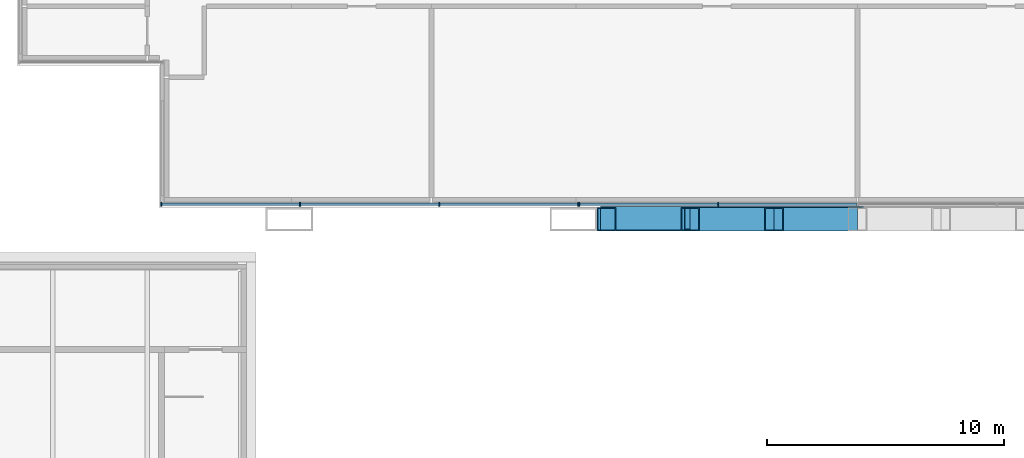
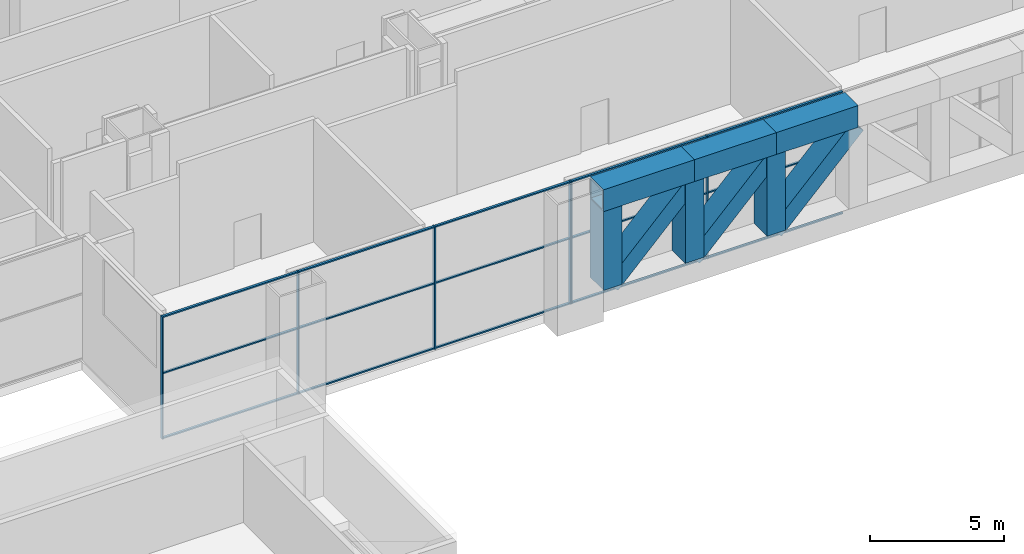
# One storey, part 2 of 27: 27 members, 3 beams, 2 elements without a shape of their own.
"""IFC4 building model written with IfcOpenShell, lengths in metres."""

from ifc_helpers import new_model, si_unit, direction, frame, origin, origin_2d, place, context, subcontext, project, spatial, rectangle, hollow_rectangle, extrude, material, material_profile, profile_set, type_object, element, aggregate, save


model = new_model("IFC4")

# Units and contexts
model_context = context("Model", 3, precision=1e-05, world=origin(), true_north=direction((0.0, 1.0)))
body_context = subcontext(model_context, "Body", "Model", "MODEL_VIEW")
ifc_project = project(units=[si_unit("LENGTHUNIT", "METRE"), si_unit("AREAUNIT", "SQUARE_METRE"), si_unit("VOLUMEUNIT", "CUBIC_METRE"), si_unit("PLANEANGLEUNIT", "RADIAN"), si_unit("MASSUNIT", "GRAM", prefix="KILO")], contexts=[model_context])

# Site, building, storey
site_placement = place(None, origin())
site = spatial("IfcSite", under=ifc_project, at=site_placement, CompositionType="ELEMENT")
building_placement = place(site_placement, origin())
building = spatial("IfcBuilding", under=site, at=building_placement, Name="Kitamizu Gate Tower and Museum", CompositionType="ELEMENT")
storey_placement = place(building_placement, frame((0.0, 0.0, 24.0)))
storey = spatial("IfcBuildingStorey", under=building, at=storey_placement, Name="L04", CompositionType="ELEMENT", Elevation=24.0)

# Curtain wall, members
ifc_material_1 = material(Name="Bronze anodised aluminium frame, tinted triple glazing", Category="aluminium")
curtain_wall_type_1 = type_object("IfcCurtainWallType", Name="CURTAIN WALL TYPE F TRANSFER STOREY", PredefinedType="NOTDEFINED", material=ifc_material_1)
curtain_wall_1_placement = place(storey_placement, origin())
curtain_wall_1 = element("IfcCurtainWall", 1, at=curtain_wall_1_placement, inside=storey, type_object=curtain_wall_type_1, Name="Curtain wall CW-F south L04 part 1", PredefinedType="NOTDEFINED")
ifc_material_2 = material(Name="Bronze anodised aluminium", Category="aluminium")
ifc_material_profile_1 = material_profile(ifc_material_2, rectangle(XDim=0.050048828125, YDim=0.14990234375, at=origin_2d()), Name="AL 50X150")
ifc_profile_set_1 = profile_set([ifc_material_profile_1], Name="Bronze anodised aluminium")
member_type_1 = type_object("IfcMemberType", Name="MULLION 50 X 150 TYPE F", PredefinedType="MULLION", material=ifc_profile_set_1)
member_1_placement = place(storey_placement, frame((6.5849609375, 0.635009765625, 0.0), z_axis=(0.0, 0.0, 1.0), x_axis=(1.0, 0.0, 0.0)))
member_1 = element("IfcMember", 2, at=member_1_placement, type_object=member_type_1, Name="CW-F mullion 1", PredefinedType="MULLION", context=body_context, shape_type="SweptSolid", body=[
    extrude(rectangle(XDim=0.050048828125, YDim=0.14990234375, at=origin_2d()), origin(), (0.0, 0.0, 1.0), 5.60009765625),
])
member_2_placement = place(storey_placement, frame((12.447998046875, 0.635009765625, 0.0), z_axis=(0.0, 0.0, 1.0), x_axis=(1.0, 0.0, 0.0)))
member_2 = element("IfcMember", 3, at=member_2_placement, type_object=member_type_1, Name="CW-F mullion 2", PredefinedType="MULLION", context=body_context, shape_type="SweptSolid", body=[
    extrude(rectangle(XDim=0.050048828125, YDim=0.14990234375, at=origin_2d()), origin(), (0.0, 0.0, 1.0), 5.60009765625),
])
member_3_placement = place(storey_placement, frame((18.3359375, 0.635009765625, 0.0), z_axis=(0.0, 0.0, 1.0), x_axis=(1.0, 0.0, 0.0)))
member_3 = element("IfcMember", 4, at=member_3_placement, type_object=member_type_1, Name="CW-F mullion 3", PredefinedType="MULLION", context=body_context, shape_type="SweptSolid", body=[
    extrude(rectangle(XDim=0.050048828125, YDim=0.14990234375, at=origin_2d()), origin(), (0.0, 0.0, 1.0), 5.60009765625),
])
member_4_placement = place(storey_placement, frame((24.198974609375, 0.635009765625, 0.0), z_axis=(0.0, 0.0, 1.0), x_axis=(1.0, 0.0, 0.0)))
member_4 = element("IfcMember", 5, at=member_4_placement, type_object=member_type_1, Name="CW-F mullion 4", PredefinedType="MULLION", context=body_context, shape_type="SweptSolid", body=[
    extrude(rectangle(XDim=0.050048828125, YDim=0.14990234375, at=origin_2d()), origin(), (0.0, 0.0, 1.0), 5.60009765625),
])

ifc_material_3 = material(Name="Bronze anodised aluminium frame, insulated panels", Category="aluminium")
curtain_wall_type_2 = type_object("IfcCurtainWallType", Name="CURTAIN WALL TYPE F TRANSFER STOREY INSULATED", PredefinedType="NOTDEFINED", material=ifc_material_3)
curtain_wall_2_placement = place(storey_placement, origin())
curtain_wall_2 = element("IfcCurtainWall", 6, at=curtain_wall_2_placement, inside=storey, type_object=curtain_wall_type_2, Name="Curtain wall CW-FI south L04 part 2", PredefinedType="NOTDEFINED")
member_5_placement = place(storey_placement, frame((24.2490234375, 0.635009765625, 0.0), z_axis=(0.0, 0.0, 1.0), x_axis=(1.0, 0.0, 0.0)))
member_5 = element("IfcMember", 7, at=member_5_placement, type_object=member_type_1, Name="CW-FI mullion 1", PredefinedType="MULLION", context=body_context, shape_type="SweptSolid", body=[
    extrude(rectangle(XDim=0.050048828125, YDim=0.14990234375, at=origin_2d()), origin(), (0.0, 0.0, 1.0), 5.60009765625),
])
member_6_placement = place(storey_placement, frame((30.112060546875, 0.635009765625, 0.0), z_axis=(0.0, 0.0, 1.0), x_axis=(1.0, 0.0, 0.0)))
member_6 = element("IfcMember", 8, at=member_6_placement, type_object=member_type_1, Name="CW-FI mullion 2", PredefinedType="MULLION", context=body_context, shape_type="SweptSolid", body=[
    extrude(rectangle(XDim=0.050048828125, YDim=0.14990234375, at=origin_2d()), origin(), (0.0, 0.0, 1.0), 5.60009765625),
])

# Member
ifc_material_4 = material(Name="Bronze anodised aluminium", Category="aluminium")
ifc_material_profile_2 = material_profile(ifc_material_4, rectangle(XDim=0.10009765625, YDim=0.06005859375, at=origin_2d()), Name="AL 60X100")
ifc_profile_set_2 = profile_set([ifc_material_profile_2], Name="Bronze anodised aluminium")
member_type_2 = type_object("IfcMemberType", Name="TRANSOM 60 X 100 TYPE F", PredefinedType="USERDEFINED", material=ifc_profile_set_2)
member_7_placement = place(storey_placement, frame((6.610107421875, 0.635009765625, 0.030029296875), z_axis=(1.0, 0.0, 0.0), x_axis=(0.0, 1.0, 0.0)))
member_7 = element("IfcMember", 9, at=member_7_placement, type_object=member_type_2, Name="CW-F transom 1.1", ObjectType="TRANSOM", PredefinedType="USERDEFINED", context=body_context, shape_type="SweptSolid", body=[
    extrude(rectangle(XDim=0.10009765625, YDim=0.06005859375, at=origin_2d()), origin(), (0.0, 0.0, 1.0), 5.81298828125),
])

member_8_placement = place(storey_placement, frame((6.610107421875, 0.635009765625, 3.0), z_axis=(1.0, 0.0, 0.0), x_axis=(0.0, 1.0, 0.0)))
member_8 = element("IfcMember", 10, at=member_8_placement, type_object=member_type_2, Name="CW-F transom 1.2", ObjectType="TRANSOM", PredefinedType="USERDEFINED", context=body_context, shape_type="SweptSolid", body=[
    extrude(rectangle(XDim=0.10009765625, YDim=0.06005859375, at=origin_2d()), origin(), (0.0, 0.0, 1.0), 5.81298828125),
])

member_9_placement = place(storey_placement, frame((6.610107421875, 0.635009765625, 5.570068359375), z_axis=(1.0, 0.0, 0.0), x_axis=(0.0, 1.0, 0.0)))
member_9 = element("IfcMember", 11, at=member_9_placement, type_object=member_type_2, Name="CW-F transom 1.3", ObjectType="TRANSOM", PredefinedType="USERDEFINED", context=body_context, shape_type="SweptSolid", body=[
    extrude(rectangle(XDim=0.10009765625, YDim=0.06005859375, at=origin_2d()), origin(), (0.0, 0.0, 1.0), 5.81298828125),
])

member_10_placement = place(storey_placement, frame((12.472900390625, 0.635009765625, 0.030029296875), z_axis=(1.0, 0.0, 0.0), x_axis=(0.0, 1.0, 0.0)))
member_10 = element("IfcMember", 12, at=member_10_placement, type_object=member_type_2, Name="CW-F transom 2.1", ObjectType="TRANSOM", PredefinedType="USERDEFINED", context=body_context, shape_type="SweptSolid", body=[
    extrude(rectangle(XDim=0.10009765625, YDim=0.06005859375, at=origin_2d()), origin(), (0.0, 0.0, 1.0), 5.838134765625),
])

member_11_placement = place(storey_placement, frame((12.472900390625, 0.635009765625, 3.0), z_axis=(1.0, 0.0, 0.0), x_axis=(0.0, 1.0, 0.0)))
member_11 = element("IfcMember", 13, at=member_11_placement, type_object=member_type_2, Name="CW-F transom 2.2", ObjectType="TRANSOM", PredefinedType="USERDEFINED", context=body_context, shape_type="SweptSolid", body=[
    extrude(rectangle(XDim=0.10009765625, YDim=0.06005859375, at=origin_2d()), origin(), (0.0, 0.0, 1.0), 5.838134765625),
])

member_12_placement = place(storey_placement, frame((12.472900390625, 0.635009765625, 5.570068359375), z_axis=(1.0, 0.0, 0.0), x_axis=(0.0, 1.0, 0.0)))
member_12 = element("IfcMember", 14, at=member_12_placement, type_object=member_type_2, Name="CW-F transom 2.3", ObjectType="TRANSOM", PredefinedType="USERDEFINED", context=body_context, shape_type="SweptSolid", body=[
    extrude(rectangle(XDim=0.10009765625, YDim=0.06005859375, at=origin_2d()), origin(), (0.0, 0.0, 1.0), 5.838134765625),
])

member_13_placement = place(storey_placement, frame((18.361083984375, 0.635009765625, 0.030029296875), z_axis=(1.0, 0.0, 0.0), x_axis=(0.0, 1.0, 0.0)))
member_13 = element("IfcMember", 15, at=member_13_placement, type_object=member_type_2, Name="CW-F transom 3.1", ObjectType="TRANSOM", PredefinedType="USERDEFINED", context=body_context, shape_type="SweptSolid", body=[
    extrude(rectangle(XDim=0.10009765625, YDim=0.06005859375, at=origin_2d()), origin(), (0.0, 0.0, 1.0), 5.81298828125),
])

member_14_placement = place(storey_placement, frame((18.361083984375, 0.635009765625, 3.0), z_axis=(1.0, 0.0, 0.0), x_axis=(0.0, 1.0, 0.0)))
member_14 = element("IfcMember", 16, at=member_14_placement, type_object=member_type_2, Name="CW-F transom 3.2", ObjectType="TRANSOM", PredefinedType="USERDEFINED", context=body_context, shape_type="SweptSolid", body=[
    extrude(rectangle(XDim=0.10009765625, YDim=0.06005859375, at=origin_2d()), origin(), (0.0, 0.0, 1.0), 5.81298828125),
])

member_15_placement = place(storey_placement, frame((18.361083984375, 0.635009765625, 5.570068359375), z_axis=(1.0, 0.0, 0.0), x_axis=(0.0, 1.0, 0.0)))
member_15 = element("IfcMember", 17, at=member_15_placement, type_object=member_type_2, Name="CW-F transom 3.3", ObjectType="TRANSOM", PredefinedType="USERDEFINED", context=body_context, shape_type="SweptSolid", body=[
    extrude(rectangle(XDim=0.10009765625, YDim=0.06005859375, at=origin_2d()), origin(), (0.0, 0.0, 1.0), 5.81298828125),
])

aggregate(curtain_wall_1, [member_1, member_2, member_3, member_4, member_7, member_8, member_9, member_10, member_11, member_12, member_13, member_14, member_15])

member_16_placement = place(storey_placement, frame((24.27392578125, 0.635009765625, 0.030029296875), z_axis=(1.0, 0.0, 0.0), x_axis=(0.0, 1.0, 0.0)))
member_16 = element("IfcMember", 18, at=member_16_placement, type_object=member_type_2, Name="CW-FI transom 1.1", ObjectType="TRANSOM", PredefinedType="USERDEFINED", context=body_context, shape_type="SweptSolid", body=[
    extrude(rectangle(XDim=0.10009765625, YDim=0.06005859375, at=origin_2d()), origin(), (0.0, 0.0, 1.0), 5.81298828125),
])

member_17_placement = place(storey_placement, frame((24.27392578125, 0.635009765625, 3.0), z_axis=(1.0, 0.0, 0.0), x_axis=(0.0, 1.0, 0.0)))
member_17 = element("IfcMember", 19, at=member_17_placement, type_object=member_type_2, Name="CW-FI transom 1.2", ObjectType="TRANSOM", PredefinedType="USERDEFINED", context=body_context, shape_type="SweptSolid", body=[
    extrude(rectangle(XDim=0.10009765625, YDim=0.06005859375, at=origin_2d()), origin(), (0.0, 0.0, 1.0), 5.81298828125),
])

member_18_placement = place(storey_placement, frame((24.27392578125, 0.635009765625, 5.570068359375), z_axis=(1.0, 0.0, 0.0), x_axis=(0.0, 1.0, 0.0)))
member_18 = element("IfcMember", 20, at=member_18_placement, type_object=member_type_2, Name="CW-FI transom 1.3", ObjectType="TRANSOM", PredefinedType="USERDEFINED", context=body_context, shape_type="SweptSolid", body=[
    extrude(rectangle(XDim=0.10009765625, YDim=0.06005859375, at=origin_2d()), origin(), (0.0, 0.0, 1.0), 5.81298828125),
])

member_19_placement = place(storey_placement, frame((30.136962890625, 0.635009765625, 0.030029296875), z_axis=(1.0, 0.0, 0.0), x_axis=(0.0, 1.0, 0.0)))
member_19 = element("IfcMember", 21, at=member_19_placement, type_object=member_type_2, Name="CW-FI transom 2.1", ObjectType="TRANSOM", PredefinedType="USERDEFINED", context=body_context, shape_type="SweptSolid", body=[
    extrude(rectangle(XDim=0.10009765625, YDim=0.06005859375, at=origin_2d()), origin(), (0.0, 0.0, 1.0), 5.838134765625),
])

member_20_placement = place(storey_placement, frame((30.136962890625, 0.635009765625, 3.0), z_axis=(1.0, 0.0, 0.0), x_axis=(0.0, 1.0, 0.0)))
member_20 = element("IfcMember", 22, at=member_20_placement, type_object=member_type_2, Name="CW-FI transom 2.2", ObjectType="TRANSOM", PredefinedType="USERDEFINED", context=body_context, shape_type="SweptSolid", body=[
    extrude(rectangle(XDim=0.10009765625, YDim=0.06005859375, at=origin_2d()), origin(), (0.0, 0.0, 1.0), 5.838134765625),
])

member_21_placement = place(storey_placement, frame((30.136962890625, 0.635009765625, 5.570068359375), z_axis=(1.0, 0.0, 0.0), x_axis=(0.0, 1.0, 0.0)))
member_21 = element("IfcMember", 23, at=member_21_placement, type_object=member_type_2, Name="CW-FI transom 2.3", ObjectType="TRANSOM", PredefinedType="USERDEFINED", context=body_context, shape_type="SweptSolid", body=[
    extrude(rectangle(XDim=0.10009765625, YDim=0.06005859375, at=origin_2d()), origin(), (0.0, 0.0, 1.0), 5.838134765625),
])

aggregate(curtain_wall_2, [member_5, member_6, member_16, member_17, member_18, member_19, member_20, member_21])

# Beams
ifc_material_5 = material(Name="Steel SM490A", Category="steel")
ifc_material_profile_3 = material_profile(ifc_material_5, hollow_rectangle(XDim=1.0, YDim=1.0, WallThickness=0.070068359375, at=origin_2d()), Name="BOX 1000x1000x70")
ifc_profile_set_3 = profile_set([ifc_material_profile_3], Name="Steel SM490A")
beam_type = type_object("IfcBeamType", Name="Transfer truss chord TTB1 BOX 1000x1000x70", PredefinedType="BEAM", material=ifc_profile_set_3)
beam_1_placement = place(storey_placement, frame((25.0, 0.0, 5.10009765625), z_axis=(1.0, 0.0, 0.0), x_axis=(0.0, 1.0, 0.0)))
element("IfcBeam", 24, at=beam_1_placement, inside=storey, type_object=beam_type, Name="Transfer truss top chord y00-1", PredefinedType="BEAM", context=body_context, shape_type="SweptSolid", body=[
    extrude(hollow_rectangle(XDim=1.0, YDim=1.0, WallThickness=0.070068359375, at=origin_2d()), origin(), (0.0, 0.0, 1.0), 3.933349609375),
])
beam_2_placement = place(storey_placement, frame((28.933349609375, 0.0, 5.10009765625), z_axis=(1.0, 0.0, 0.0), x_axis=(0.0, 1.0, 0.0)))
element("IfcBeam", 25, at=beam_2_placement, inside=storey, type_object=beam_type, Name="Transfer truss top chord y00-2", PredefinedType="BEAM", context=body_context, shape_type="SweptSolid", body=[
    extrude(hollow_rectangle(XDim=1.0, YDim=1.0, WallThickness=0.070068359375, at=origin_2d()), origin(), (0.0, 0.0, 1.0), 3.533203125),
])
beam_3_placement = place(storey_placement, frame((32.466552734375, 0.0, 5.10009765625), z_axis=(1.0, 0.0, 0.0), x_axis=(0.0, 1.0, 0.0)))
element("IfcBeam", 26, at=beam_3_placement, inside=storey, type_object=beam_type, Name="Transfer truss top chord y00-3", PredefinedType="BEAM", context=body_context, shape_type="SweptSolid", body=[
    extrude(hollow_rectangle(XDim=1.0, YDim=1.0, WallThickness=0.070068359375, at=origin_2d()), origin(), (0.0, 0.0, 1.0), 3.533447265625),
])

# Members
ifc_material_6 = material(Name="Steel SM490A", Category="steel")
ifc_material_profile_4 = material_profile(ifc_material_6, hollow_rectangle(XDim=1.0, YDim=0.699951171875, WallThickness=0.044921875, at=origin_2d()), Name="BOX 1000x700x45")
ifc_profile_set_4 = profile_set([ifc_material_profile_4], Name="Steel SM490A")
member_type_3 = type_object("IfcMemberType", Name="Transfer truss diagonal TTB2 BOX 1000x700x45", PredefinedType="BRACE", material=ifc_profile_set_4)
member_22_placement = place(storey_placement, frame((25.39990234375, 0.044921875, 1.0), z_axis=(0.700469542515, 0.0, 0.71368229627), x_axis=(0.0, 1.0, 0.0)))
element("IfcMember", 27, at=member_22_placement, inside=storey, type_object=member_type_3, Name="Transfer truss diagonal y00-1", PredefinedType="BRACE", context=body_context, shape_type="SweptSolid", body=[
    extrude(hollow_rectangle(XDim=1.0, YDim=0.699951171875, WallThickness=0.044921875, at=origin_2d()), origin(), (0.0, 0.0, 1.0), 5.04443359375),
])
member_23_placement = place(storey_placement, frame((28.933349609375, 0.044921875, 1.0), z_axis=(0.70044488992, 0.0, 0.713706491623), x_axis=(0.0, 1.0, 0.0)))
element("IfcMember", 28, at=member_23_placement, inside=storey, type_object=member_type_3, Name="Transfer truss diagonal y00-2", PredefinedType="BRACE", context=body_context, shape_type="SweptSolid", body=[
    extrude(hollow_rectangle(XDim=1.0, YDim=0.699951171875, WallThickness=0.044921875, at=origin_2d()), origin(), (0.0, 0.0, 1.0), 5.044189453125),
])
member_24_placement = place(storey_placement, frame((32.466552734375, 0.044921875, 1.0), z_axis=(0.700469542515, 0.0, 0.71368229627), x_axis=(0.0, 1.0, 0.0)))
element("IfcMember", 29, at=member_24_placement, inside=storey, type_object=member_type_3, Name="Transfer truss diagonal y00-3", PredefinedType="BRACE", context=body_context, shape_type="SweptSolid", body=[
    extrude(hollow_rectangle(XDim=1.0, YDim=0.699951171875, WallThickness=0.044921875, at=origin_2d()), origin(), (0.0, 0.0, 1.0), 5.04443359375),
])
ifc_material_7 = material(Name="Steel SM490A", Category="steel")
ifc_material_profile_5 = material_profile(ifc_material_7, hollow_rectangle(XDim=0.800048828125, YDim=1.0, WallThickness=0.044921875, at=origin_2d()), Name="BOX 800x1000x45")
ifc_profile_set_5 = profile_set([ifc_material_profile_5], Name="Steel SM490A")
member_type_4 = type_object("IfcMemberType", Name="Transfer truss post TTB3 BOX 800x1000x45", PredefinedType="POST", material=ifc_profile_set_5)
for number, where, z_axis, x_axis, name in (
    (30, (25.39990234375, 0.0, 1.0), (0.0, 0.0, 1.0), (1.0, 0.0, 0.0), "Transfer truss post y00-1"),
    (31, (28.933349609375, 0.0, 1.0), (0.0, 0.0, 1.0), (1.0, 0.0, 0.0), "Transfer truss post y00-2"),
    (32, (32.466552734375, 0.0, 1.0), (0.0, 0.0, 1.0), (1.0, 0.0, 0.0), "Transfer truss post y00-3"),
):
    element("IfcMember", number, at=place(storey_placement, frame(where, z_axis=z_axis, x_axis=x_axis)), inside=storey, type_object=member_type_4, Name=name, PredefinedType="POST", context=body_context, shape_type="SweptSolid", body=[
        extrude(hollow_rectangle(XDim=0.800048828125, YDim=1.0, WallThickness=0.044921875, at=origin_2d()), origin(), (0.0, 0.0, 1.0), 3.60009765625),
    ])

save(model, "model.ifc")
